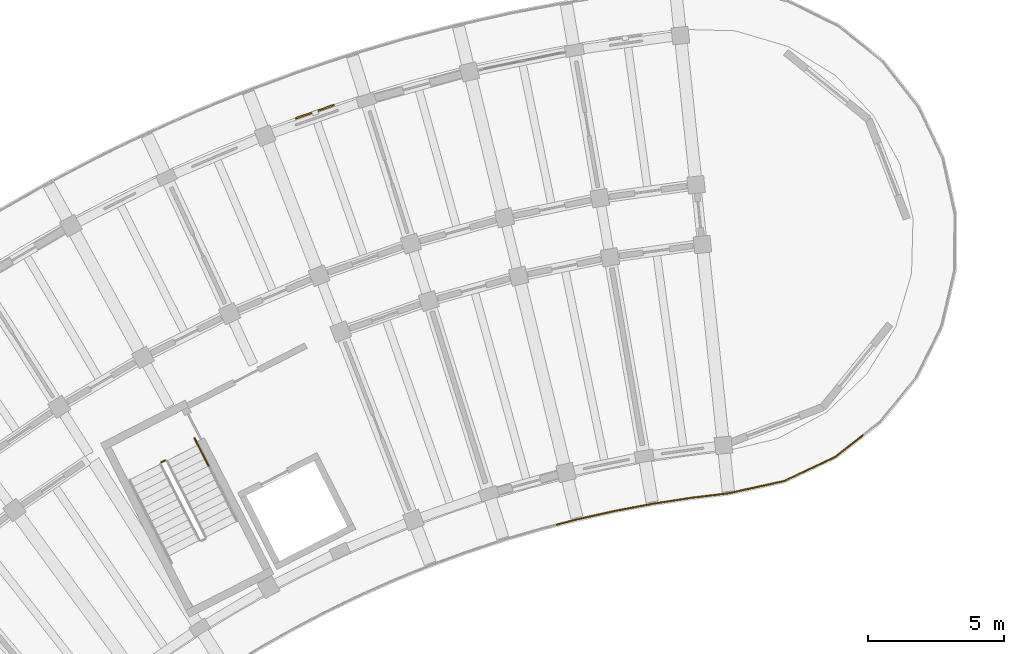
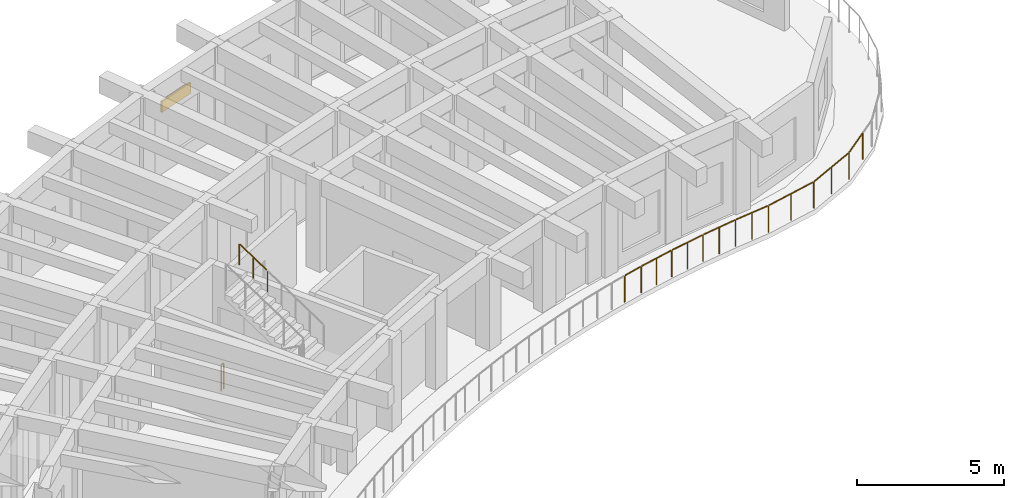
# One storey, part 116 of 128: 4 railings, 1 shading device.
"""IFC4 building model written with IfcOpenShell, lengths in metres."""

from ifc_helpers import new_model, si_unit, direction, frame, origin, origin_2d, place, context, subcontext, project, spatial, rectangle, circle, extrude, material, layer, layer_set, type_object, element, save


model = new_model("IFC4")

# Units and contexts
model_context = context("Model", 3, precision=1e-05, world=origin(), true_north=direction((0.0, 1.0)))
body_context = subcontext(model_context, "Body", "Model", "MODEL_VIEW")
ifc_project = project(units=[si_unit("LENGTHUNIT", "METRE"), si_unit("AREAUNIT", "SQUARE_METRE"), si_unit("VOLUMEUNIT", "CUBIC_METRE"), si_unit("PLANEANGLEUNIT", "RADIAN"), si_unit("MASSUNIT", "GRAM", prefix="KILO")], contexts=[model_context])

# Site, building, storey
site_placement = place(None, origin())
site = spatial("IfcSite", under=ifc_project, at=site_placement, CompositionType="ELEMENT")
building_placement = place(site_placement, origin())
building = spatial("IfcBuilding", under=site, at=building_placement, Name="Tanwirah Colonnade Gardens", CompositionType="ELEMENT")
storey_placement = place(building_placement, frame((0.0, 0.0, 4.760009765625)))
storey = spatial("IfcBuildingStorey", under=building, at=storey_placement, Name="L01", CompositionType="ELEMENT", Elevation=4.760009765625)

# Railings
ifc_material_1 = material(Name="Precast concrete C40/50", Category="concrete")
railing_type_1 = type_object("IfcRailingType", Name="BAL-EXT112", PredefinedType="BALUSTRADE", material=ifc_material_1)
railing_1_placement = place(storey_placement, frame((62.57666015625, 103.095947265625, 0.0)))
element("IfcRailing", 1, at=railing_1_placement, inside=storey, type_object=railing_type_1, Name="Block A L01 Balcony Ribbon Balustrade 1", PredefinedType="BALUSTRADE", context=body_context, shape_type="SweptSolid", body=[
    extrude(circle(Radius=0.02392578125, at=origin_2d()), frame((-0.030517578125, -0.0068359375, 1.09619140625), z_axis=(-0.976545428659, -0.215311462222, 0.0), x_axis=(0.215311462222, -0.976545428659, 0.0)), (0.0, 0.0, 1.0), 2.029541015625),
    extrude(circle(Radius=0.02392578125, at=origin_2d()), frame((-2.073974609375, -0.4541015625, 1.09619140625), z_axis=(-0.99267751715, -0.120794647829, 0.0), x_axis=(0.120794647829, -0.99267751715, 0.0)), (0.0, 0.0, 1.0), 1.338134765625),
    extrude(circle(Radius=0.02392578125, at=origin_2d()), frame((-3.466796875, -0.625, 1.09619140625), z_axis=(-0.988147546762, -0.153507087226, 0.0), x_axis=(0.153507087226, -0.988147546762, 0.0)), (0.0, 0.0, 1.0), 1.341796875),
    extrude(circle(Radius=0.02392578125, at=origin_2d()), frame((-4.85693359375, -0.842041015625, 1.09619140625), z_axis=(-0.982547926195, -0.186009603862, 0.0), x_axis=(0.186009603862, -0.982547926195, 0.0)), (0.0, 0.0, 1.0), 1.341796875),
    extrude(circle(Radius=0.02392578125, at=origin_2d()), frame((-6.239013671875, -1.104736328125, 1.09619140625), z_axis=(-0.975875211082, -0.218329046156, 0.0), x_axis=(0.218329046156, -0.975875211082, 0.0)), (0.0, 0.0, 1.0), 1.342041015625),
    extrude(circle(Radius=0.02392578125, at=origin_2d()), frame((-7.61181640625, -1.4130859375, 1.09619140625), z_axis=(-0.968150815957, -0.25036772468, 0.0), x_axis=(0.25036772468, -0.968150815957, 0.0)), (0.0, 0.0, 1.0), 0.721435546875),
    extrude(circle(Radius=0.02099609375, at=origin_2d()), origin(), (0.0, 0.0, 1.0), 1.069091796875),
    extrude(circle(Radius=0.02099609375, at=origin_2d()), frame((-1.021484375, -0.22509765625, 0.0)), (0.0, 0.0, 1.0), 1.069091796875),
    extrude(circle(Radius=0.02099609375, at=origin_2d()), frame((-2.04296875, -0.450439453125, 0.0)), (0.0, 0.0, 1.0), 1.069091796875),
    extrude(circle(Radius=0.02099609375, at=origin_2d()), frame((-2.73828125, -0.53515625, 0.0)), (0.0, 0.0, 1.0), 1.069091796875),
    extrude(circle(Radius=0.02099609375, at=origin_2d()), frame((-3.433349609375, -0.61962890625, 0.0)), (0.0, 0.0, 1.0), 1.069091796875),
    extrude(circle(Radius=0.02099609375, at=origin_2d()), frame((-4.129638671875, -0.72802734375, 0.0)), (0.0, 0.0, 1.0), 1.069091796875),
    extrude(circle(Radius=0.02099609375, at=origin_2d()), frame((-4.823486328125, -0.835693359375, 0.0)), (0.0, 0.0, 1.0), 1.069091796875),
    extrude(circle(Radius=0.02099609375, at=origin_2d()), frame((-5.51611328125, -0.966796875, 0.0)), (0.0, 0.0, 1.0), 1.069091796875),
    extrude(circle(Radius=0.02099609375, at=origin_2d()), frame((-6.2060546875, -1.097412109375, 0.0)), (0.0, 0.0, 1.0), 1.069091796875),
    extrude(circle(Radius=0.02099609375, at=origin_2d()), frame((-6.893798828125, -1.251220703125, 0.0)), (0.0, 0.0, 1.0), 1.069091796875),
    extrude(circle(Radius=0.02099609375, at=origin_2d()), frame((-7.5791015625, -1.404541015625, 0.0)), (0.0, 0.0, 1.0), 1.069091796875),
    extrude(circle(Radius=0.02099609375, at=origin_2d()), frame((-8.340576171875, -1.6015625, 0.0)), (0.0, 0.0, 1.0), 1.069091796875),
])
railing_2_placement = place(storey_placement, frame((65.462890625, 104.77197265625, 0.0)))
element("IfcRailing", 2, at=railing_2_placement, inside=storey, type_object=railing_type_1, Name="Block A L01 Balcony Ribbon Balustrade 22", PredefinedType="BALUSTRADE", context=body_context, shape_type="SweptSolid", body=[
    extrude(circle(Radius=0.02392578125, at=origin_2d()), frame((-0.024658203125, -0.019287109375, 1.09619140625), z_axis=(-0.786498338908, -0.617592392194, 0.0), x_axis=(0.617592392194, -0.786498338908, 0.0)), (0.0, 0.0, 1.0), 1.2080078125),
    extrude(circle(Radius=0.02392578125, at=origin_2d()), frame((-1.027587890625, -0.798095703125, 1.09619140625), z_axis=(-0.904194685142, -0.427120558346, 0.0), x_axis=(0.427120558346, -0.904194685142, 0.0)), (0.0, 0.0, 1.0), 2.0244140625),
    extrude(circle(Radius=0.02099609375, at=origin_2d()), origin(), (0.0, 0.0, 1.0), 1.069091796875),
    extrude(circle(Radius=0.02099609375, at=origin_2d()), frame((-0.999267578125, -0.78466796875, 0.0)), (0.0, 0.0, 1.0), 1.069091796875),
    extrude(circle(Radius=0.02099609375, at=origin_2d()), frame((-1.94287109375, -1.23046875, 0.0)), (0.0, 0.0, 1.0), 1.069091796875),
    extrude(circle(Radius=0.02099609375, at=origin_2d()), frame((-2.88623046875, -1.676025390625, 0.0)), (0.0, 0.0, 1.0), 1.069091796875),
])
ifc_material_2 = material(Name="Powder-coated galvanized steel", Category="steel")
railing_type_2 = type_object("IfcRailingType", Name="GRD-ST110", PredefinedType="GUARDRAIL", material=ifc_material_2)
railing_3_placement = place(storey_placement, frame((39.74072265625, 103.78271484375, 0.0)))
element("IfcRailing", 3, at=railing_3_placement, inside=storey, type_object=railing_type_2, Name="L01 ST-A1 stair guard 4", PredefinedType="GUARDRAIL", context=body_context, shape_type="SweptSolid", body=[
    extrude(circle(Radius=0.02392578125, at=origin_2d()), frame((0.02783203125, 0.01416015625, 1.076171875), z_axis=(0.89073666619, 0.4545197372, 0.0), x_axis=(-0.4545197372, 0.89073666619, 0.0)), (0.0, 0.0, 1.0), 0.09765625),
    extrude(circle(Radius=0.02099609375, at=origin_2d()), origin(), (0.0, 0.0, 1.0), 1.049072265625),
    extrude(circle(Radius=0.02099609375, at=origin_2d()), frame((0.142578125, 0.07275390625, 0.0)), (0.0, 0.0, 1.0), 1.049072265625),
])
ifc_material_3 = material(Name="Brushed bronze stainless steel", Category="steel")
railing_type_3 = type_object("IfcRailingType", Name="HR-ST090", PredefinedType="HANDRAIL", material=ifc_material_3)
railing_4_placement = place(storey_placement, frame((41.479248046875, 103.65283203125, 3.58203125)))
element("IfcRailing", 4, at=railing_4_placement, inside=storey, type_object=railing_type_3, Name="L01 ST-A1 stair handrail 6", PredefinedType="HANDRAIL", context=body_context, shape_type="SweptSolid", body=[
    extrude(circle(Radius=0.02392578125, at=origin_2d()), frame((-0.01220703125, 0.02392578125, 0.89208984375), z_axis=(-0.388978247368, 0.763461550611, 0.515579658067), x_axis=(-0.891018251792, -0.453967482287, 0.0)), (0.0, 0.0, 1.0), 1.26806640625),
    extrude(circle(Radius=0.02099609375, at=origin_2d()), origin(), (0.0, 0.0, 1.0), 0.848876953125),
    extrude(circle(Radius=0.02099609375, at=origin_2d()), frame((-0.2587890625, 0.5078125, 0.343017578125)), (0.0, 0.0, 1.0), 0.848876953125),
    extrude(circle(Radius=0.02099609375, at=origin_2d()), frame((-0.517578125, 1.015869140625, 0.68603515625)), (0.0, 0.0, 1.0), 0.848876953125),
])

# Shading device
ifc_material_4 = material(Name="Perforated architectural bronze aluminium", Category="aluminium")
ifc_layer = layer(ifc_material_4, 0.050048828125)
ifc_layer_set = layer_set([ifc_layer], Name="Perforated architectural bronze aluminium")
shading_device_type = type_object("IfcShadingDeviceType", Name="SHD-OVH1", PredefinedType="SHUTTER", material=ifc_layer_set)
shading_device_placement = place(storey_placement, frame((45.376220703125, 116.633056640625, 2.18505859375), z_axis=(0.0, 0.0, 1.0), x_axis=(-0.944248878284, -0.329232525519, 0.0)))
element("IfcShadingDevice", 5, at=shading_device_placement, inside=storey, type_object=shading_device_type, Name="Solar shading louver hood A-L01-03", PredefinedType="SHUTTER", context=body_context, shape_type="SweptSolid", body=[
    extrude(rectangle(XDim=1.5, YDim=0.06005859375, at=origin_2d()), origin(), (0.0, 0.0, 1.0), 0.449951171875),
])

save(model, "model.ifc")
